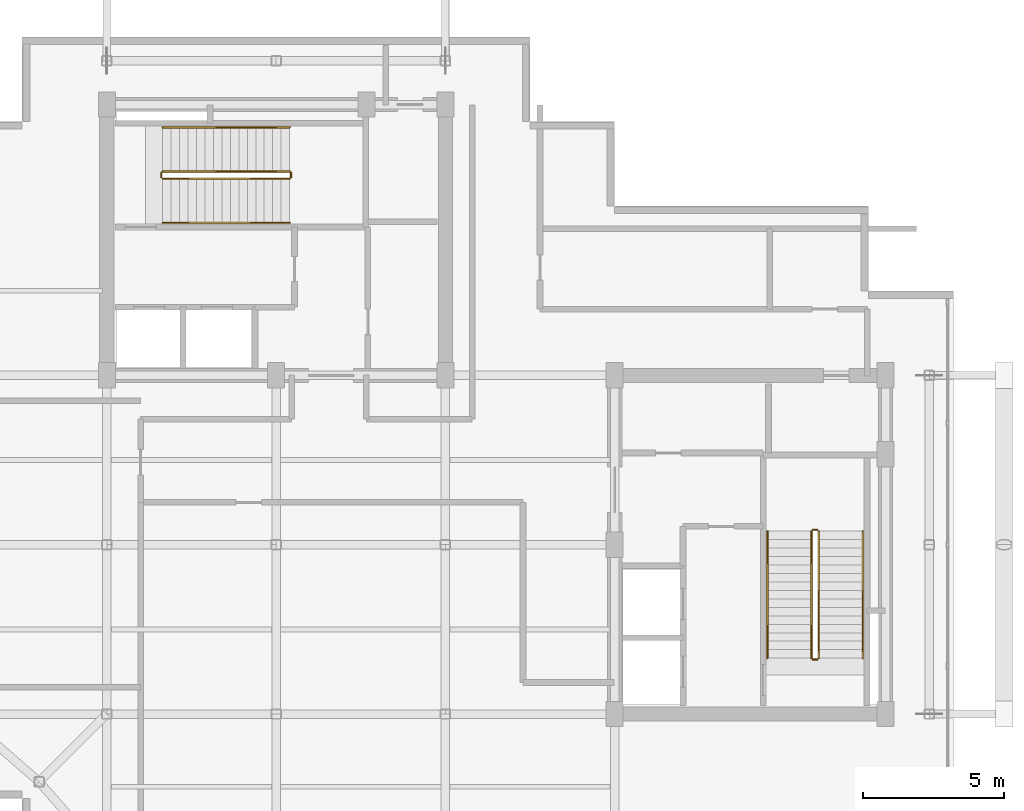
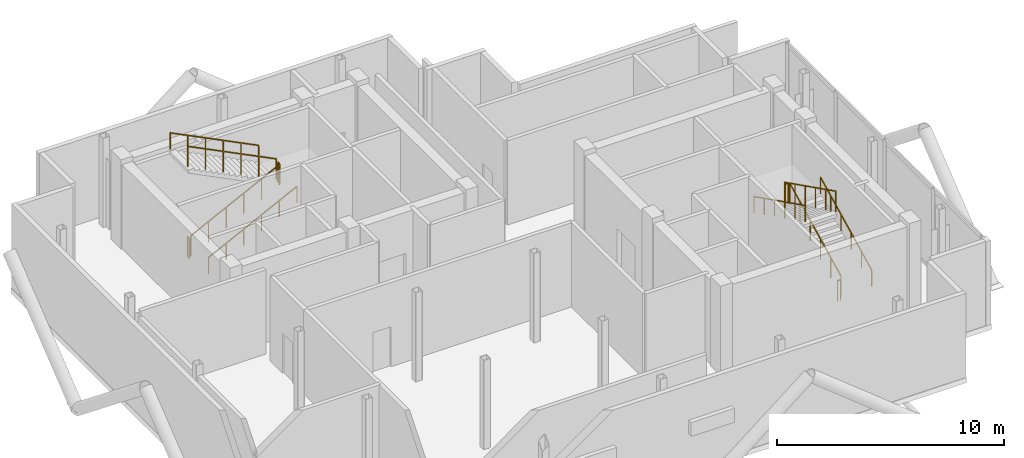
# One storey, part 6 of 6: 12 railings.
"""IFC4 building model written with IfcOpenShell, lengths in metres."""

from ifc_helpers import new_model, si_unit, direction, frame, origin, origin_2d, place, context, subcontext, project, spatial, rectangle, extrude, material, type_object, element, save


model = new_model("IFC4")

# Units and contexts
model_context = context("Model", 3, precision=1e-05, world=origin(), true_north=direction((0.0, 1.0)))
body_context = subcontext(model_context, "Body", "Model", "MODEL_VIEW")
ifc_project = project(units=[si_unit("LENGTHUNIT", "METRE"), si_unit("AREAUNIT", "SQUARE_METRE"), si_unit("VOLUMEUNIT", "CUBIC_METRE"), si_unit("PLANEANGLEUNIT", "RADIAN"), si_unit("MASSUNIT", "GRAM", prefix="KILO"), si_unit("THERMODYNAMICTEMPERATUREUNIT", "KELVIN"), si_unit("POWERUNIT", "WATT")], contexts=[model_context])

# Site, building, storey
site_placement = place(None, origin())
site = spatial("IfcSite", under=ifc_project, at=site_placement, CompositionType="ELEMENT")
building_placement = place(site_placement, origin())
building = spatial("IfcBuilding", under=site, at=building_placement, Name="Svarakhadi Broadcast Tower", CompositionType="ELEMENT")
storey_placement = place(building_placement, frame((0.0, 0.0, 300.89990234375)))
storey = spatial("IfcBuildingStorey", under=building, at=storey_placement, Name="L76", CompositionType="ELEMENT", Elevation=300.89990234375)

# Railings
ifc_material = material(Name="Anodised Bronze Aluminium AA 6063-T6", Category="aluminium")
railing_type_1 = type_object("IfcRailingType", Name="Guard_Stair_GR01", PredefinedType="GUARDRAIL", material=ifc_material)
railing_1_placement = place(storey_placement, frame((7.97998046875, 24.969970703125, 0.150146484375)))
element("IfcRailing", 1, at=railing_1_placement, inside=storey, type_object=railing_type_1, Name="L76 ST-01 stair guard 1", PredefinedType="GUARDRAIL", context=body_context, shape_type="SweptSolid", body=[
    extrude(rectangle(XDim=0.048095703125, YDim=0.048095703125, at=origin_2d()), frame((0.0, 0.0, 1.09619140625), z_axis=(0.894427191, 0.0, 0.4472135955), x_axis=(0.0, 1.0, 0.0)), (0.0, 0.0, 1.0), 5.03125),
    extrude(rectangle(XDim=0.0419921875, YDim=0.0419921875, at=origin_2d()), origin(), (0.0, 0.0, 1.0), 1.072021484375),
    extrude(rectangle(XDim=0.0419921875, YDim=0.0419921875, at=origin_2d()), frame((0.89990234375, 0.0, 0.449951171875)), (0.0, 0.0, 1.0), 1.072021484375),
    extrude(rectangle(XDim=0.0419921875, YDim=0.0419921875, at=origin_2d()), frame((1.800048828125, 0.0, 0.89990234375)), (0.0, 0.0, 1.0), 1.072021484375),
    extrude(rectangle(XDim=0.0419921875, YDim=0.0419921875, at=origin_2d()), frame((2.699951171875, 0.0, 1.35009765625)), (0.0, 0.0, 1.0), 1.072021484375),
    extrude(rectangle(XDim=0.0419921875, YDim=0.0419921875, at=origin_2d()), frame((3.60009765625, 0.0, 1.800048828125)), (0.0, 0.0, 1.0), 1.072021484375),
    extrude(rectangle(XDim=0.0419921875, YDim=0.0419921875, at=origin_2d()), frame((4.5, 0.0, 2.25)), (0.0, 0.0, 1.0), 1.072021484375),
])
railing_2_placement = place(storey_placement, frame((12.530029296875, 25.02001953125, 2.400146484375)))
element("IfcRailing", 2, at=railing_2_placement, inside=storey, type_object=railing_type_1, Name="L76 ST-01 stair guard 2", PredefinedType="GUARDRAIL", context=body_context, shape_type="SweptSolid", body=[
    extrude(rectangle(XDim=0.048095703125, YDim=0.048095703125, at=origin_2d()), frame((0.0, 0.0, 1.09619140625), z_axis=(0.0, 1.0, 0.0), x_axis=(-1.0, 0.0, 0.0)), (0.0, 0.0, 1.0), 0.159912109375),
    extrude(rectangle(XDim=0.0419921875, YDim=0.0419921875, at=origin_2d()), origin(), (0.0, 0.0, 1.0), 1.072021484375),
    extrude(rectangle(XDim=0.0419921875, YDim=0.0419921875, at=origin_2d()), frame((0.0, 0.159912109375, 0.0)), (0.0, 0.0, 1.0), 1.072021484375),
])
railing_3_placement = place(storey_placement, frame((12.47998046875, 25.22998046875, 2.550048828125)))
element("IfcRailing", 3, at=railing_3_placement, inside=storey, type_object=railing_type_1, Name="L76 ST-01 stair guard 3", PredefinedType="GUARDRAIL", context=body_context, shape_type="SweptSolid", body=[
    extrude(rectangle(XDim=0.048095703125, YDim=0.048095703125, at=origin_2d()), frame((0.0, 0.0, 1.09619140625), z_axis=(-0.894427191, 0.0, 0.4472135955), x_axis=(0.0, -1.0, 0.0)), (0.0, 0.0, 1.0), 5.03125),
    extrude(rectangle(XDim=0.0419921875, YDim=0.0419921875, at=origin_2d()), origin(), (0.0, 0.0, 1.0), 1.072021484375),
    extrude(rectangle(XDim=0.0419921875, YDim=0.0419921875, at=origin_2d()), frame((-0.89990234375, 0.0, 0.449951171875)), (0.0, 0.0, 1.0), 1.072021484375),
    extrude(rectangle(XDim=0.0419921875, YDim=0.0419921875, at=origin_2d()), frame((-1.800048828125, 0.0, 0.89990234375)), (0.0, 0.0, 1.0), 1.072021484375),
    extrude(rectangle(XDim=0.0419921875, YDim=0.0419921875, at=origin_2d()), frame((-2.699951171875, 0.0, 1.35009765625)), (0.0, 0.0, 1.0), 1.072021484375),
    extrude(rectangle(XDim=0.0419921875, YDim=0.0419921875, at=origin_2d()), frame((-3.60009765625, 0.0, 1.800048828125)), (0.0, 0.0, 1.0), 1.072021484375),
    extrude(rectangle(XDim=0.0419921875, YDim=0.0419921875, at=origin_2d()), frame((-4.5, 0.0, 2.25)), (0.0, 0.0, 1.0), 1.072021484375),
])
railing_4_placement = place(storey_placement, frame((7.929931640625, 25.02001953125, 0.0)))
element("IfcRailing", 4, at=railing_4_placement, inside=storey, type_object=railing_type_1, Name="L76 ST-01 stair guard 4", PredefinedType="GUARDRAIL", context=body_context, shape_type="SweptSolid", body=[
    extrude(rectangle(XDim=0.048095703125, YDim=0.048095703125, at=origin_2d()), frame((0.0, 0.0, 1.09619140625), z_axis=(0.0, 1.0, 0.0), x_axis=(-1.0, 0.0, 0.0)), (0.0, 0.0, 1.0), 0.159912109375),
    extrude(rectangle(XDim=0.0419921875, YDim=0.0419921875, at=origin_2d()), origin(), (0.0, 0.0, 1.0), 1.072021484375),
    extrude(rectangle(XDim=0.0419921875, YDim=0.0419921875, at=origin_2d()), frame((0.0, 0.159912109375, 0.0)), (0.0, 0.0, 1.0), 1.072021484375),
])
railing_5_placement = place(storey_placement, frame((31.22998046875, 7.97998046875, 0.150146484375)))
element("IfcRailing", 5, at=railing_5_placement, inside=storey, type_object=railing_type_1, Name="L76 ST-02 stair guard 1", PredefinedType="GUARDRAIL", context=body_context, shape_type="SweptSolid", body=[
    extrude(rectangle(XDim=0.048095703125, YDim=0.048095703125, at=origin_2d()), frame((0.0, 0.0, 1.09619140625), z_axis=(0.0, 0.894427191, 0.4472135955), x_axis=(-1.0, 0.0, 0.0)), (0.0, 0.0, 1.0), 5.03125),
    extrude(rectangle(XDim=0.0419921875, YDim=0.0419921875, at=origin_2d()), origin(), (0.0, 0.0, 1.0), 1.072021484375),
    extrude(rectangle(XDim=0.0419921875, YDim=0.0419921875, at=origin_2d()), frame((0.0, 0.89990234375, 0.449951171875)), (0.0, 0.0, 1.0), 1.072021484375),
    extrude(rectangle(XDim=0.0419921875, YDim=0.0419921875, at=origin_2d()), frame((0.0, 1.800048828125, 0.89990234375)), (0.0, 0.0, 1.0), 1.072021484375),
    extrude(rectangle(XDim=0.0419921875, YDim=0.0419921875, at=origin_2d()), frame((0.0, 2.699951171875, 1.35009765625)), (0.0, 0.0, 1.0), 1.072021484375),
    extrude(rectangle(XDim=0.0419921875, YDim=0.0419921875, at=origin_2d()), frame((0.0, 3.60009765625, 1.800048828125)), (0.0, 0.0, 1.0), 1.072021484375),
    extrude(rectangle(XDim=0.0419921875, YDim=0.0419921875, at=origin_2d()), frame((0.0, 4.5, 2.25)), (0.0, 0.0, 1.0), 1.072021484375),
])
railing_6_placement = place(storey_placement, frame((31.179931640625, 12.530029296875, 2.400146484375)))
element("IfcRailing", 6, at=railing_6_placement, inside=storey, type_object=railing_type_1, Name="L76 ST-02 stair guard 2", PredefinedType="GUARDRAIL", context=body_context, shape_type="SweptSolid", body=[
    extrude(rectangle(XDim=0.048095703125, YDim=0.048095703125, at=origin_2d()), frame((0.0, 0.0, 1.09619140625), z_axis=(-1.0, 0.0, 0.0), x_axis=(0.0, -1.0, 0.0)), (0.0, 0.0, 1.0), 0.159912109375),
    extrude(rectangle(XDim=0.0419921875, YDim=0.0419921875, at=origin_2d()), origin(), (0.0, 0.0, 1.0), 1.072021484375),
    extrude(rectangle(XDim=0.0419921875, YDim=0.0419921875, at=origin_2d()), frame((-0.159912109375, 0.0, 0.0)), (0.0, 0.0, 1.0), 1.072021484375),
])
railing_7_placement = place(storey_placement, frame((30.969970703125, 12.47998046875, 2.550048828125)))
element("IfcRailing", 7, at=railing_7_placement, inside=storey, type_object=railing_type_1, Name="L76 ST-02 stair guard 3", PredefinedType="GUARDRAIL", context=body_context, shape_type="SweptSolid", body=[
    extrude(rectangle(XDim=0.048095703125, YDim=0.048095703125, at=origin_2d()), frame((0.0, 0.0, 1.09619140625), z_axis=(0.0, -0.894427191, 0.4472135955), x_axis=(1.0, 0.0, 0.0)), (0.0, 0.0, 1.0), 5.03125),
    extrude(rectangle(XDim=0.0419921875, YDim=0.0419921875, at=origin_2d()), origin(), (0.0, 0.0, 1.0), 1.072021484375),
    extrude(rectangle(XDim=0.0419921875, YDim=0.0419921875, at=origin_2d()), frame((0.0, -0.89990234375, 0.449951171875)), (0.0, 0.0, 1.0), 1.072021484375),
    extrude(rectangle(XDim=0.0419921875, YDim=0.0419921875, at=origin_2d()), frame((0.0, -1.800048828125, 0.89990234375)), (0.0, 0.0, 1.0), 1.072021484375),
    extrude(rectangle(XDim=0.0419921875, YDim=0.0419921875, at=origin_2d()), frame((0.0, -2.699951171875, 1.35009765625)), (0.0, 0.0, 1.0), 1.072021484375),
    extrude(rectangle(XDim=0.0419921875, YDim=0.0419921875, at=origin_2d()), frame((0.0, -3.60009765625, 1.800048828125)), (0.0, 0.0, 1.0), 1.072021484375),
    extrude(rectangle(XDim=0.0419921875, YDim=0.0419921875, at=origin_2d()), frame((0.0, -4.5, 2.25)), (0.0, 0.0, 1.0), 1.072021484375),
])
railing_8_placement = place(storey_placement, frame((31.179931640625, 7.929931640625, 0.0)))
element("IfcRailing", 8, at=railing_8_placement, inside=storey, type_object=railing_type_1, Name="L76 ST-02 stair guard 4", PredefinedType="GUARDRAIL", context=body_context, shape_type="SweptSolid", body=[
    extrude(rectangle(XDim=0.048095703125, YDim=0.048095703125, at=origin_2d()), frame((0.0, 0.0, 1.09619140625), z_axis=(-1.0, 0.0, 0.0), x_axis=(0.0, -1.0, 0.0)), (0.0, 0.0, 1.0), 0.159912109375),
    extrude(rectangle(XDim=0.0419921875, YDim=0.0419921875, at=origin_2d()), origin(), (0.0, 0.0, 1.0), 1.072021484375),
    extrude(rectangle(XDim=0.0419921875, YDim=0.0419921875, at=origin_2d()), frame((-0.159912109375, 0.0, 0.0)), (0.0, 0.0, 1.0), 1.072021484375),
])
railing_type_2 = type_object("IfcRailingType", Name="Handrail_Stair_HR01", PredefinedType="HANDRAIL", material=ifc_material)
railing_9_placement = place(storey_placement, frame((7.97998046875, 23.409912109375, 0.150146484375)))
element("IfcRailing", 9, at=railing_9_placement, inside=storey, type_object=railing_type_2, Name="L76 ST-01 stair handrail 1", PredefinedType="HANDRAIL", context=body_context, shape_type="SweptSolid", body=[
    extrude(rectangle(XDim=0.048095703125, YDim=0.048095703125, at=origin_2d()), frame((0.0, 0.0, 0.8759765625), z_axis=(0.894427191, 0.0, 0.4472135955), x_axis=(0.0, 1.0, 0.0)), (0.0, 0.0, 1.0), 5.03125),
    extrude(rectangle(XDim=0.0419921875, YDim=0.0419921875, at=origin_2d()), origin(), (0.0, 0.0, 1.0), 0.851806640625),
    extrude(rectangle(XDim=0.0419921875, YDim=0.0419921875, at=origin_2d()), frame((0.89990234375, 0.0, 0.449951171875)), (0.0, 0.0, 1.0), 0.851806640625),
    extrude(rectangle(XDim=0.0419921875, YDim=0.0419921875, at=origin_2d()), frame((1.800048828125, 0.0, 0.89990234375)), (0.0, 0.0, 1.0), 0.851806640625),
    extrude(rectangle(XDim=0.0419921875, YDim=0.0419921875, at=origin_2d()), frame((2.699951171875, 0.0, 1.35009765625)), (0.0, 0.0, 1.0), 0.851806640625),
    extrude(rectangle(XDim=0.0419921875, YDim=0.0419921875, at=origin_2d()), frame((3.60009765625, 0.0, 1.800048828125)), (0.0, 0.0, 1.0), 0.851806640625),
    extrude(rectangle(XDim=0.0419921875, YDim=0.0419921875, at=origin_2d()), frame((4.5, 0.0, 2.25)), (0.0, 0.0, 1.0), 0.851806640625),
])
railing_10_placement = place(storey_placement, frame((12.47998046875, 26.7900390625, 2.550048828125)))
element("IfcRailing", 10, at=railing_10_placement, inside=storey, type_object=railing_type_2, Name="L76 ST-01 stair handrail 2", PredefinedType="HANDRAIL", context=body_context, shape_type="SweptSolid", body=[
    extrude(rectangle(XDim=0.048095703125, YDim=0.048095703125, at=origin_2d()), frame((0.0, 0.0, 0.8759765625), z_axis=(-0.894427191, 0.0, 0.4472135955), x_axis=(0.0, -1.0, 0.0)), (0.0, 0.0, 1.0), 5.03125),
    extrude(rectangle(XDim=0.0419921875, YDim=0.0419921875, at=origin_2d()), origin(), (0.0, 0.0, 1.0), 0.851806640625),
    extrude(rectangle(XDim=0.0419921875, YDim=0.0419921875, at=origin_2d()), frame((-0.89990234375, 0.0, 0.449951171875)), (0.0, 0.0, 1.0), 0.851806640625),
    extrude(rectangle(XDim=0.0419921875, YDim=0.0419921875, at=origin_2d()), frame((-1.800048828125, 0.0, 0.89990234375)), (0.0, 0.0, 1.0), 0.851806640625),
    extrude(rectangle(XDim=0.0419921875, YDim=0.0419921875, at=origin_2d()), frame((-2.699951171875, 0.0, 1.35009765625)), (0.0, 0.0, 1.0), 0.851806640625),
    extrude(rectangle(XDim=0.0419921875, YDim=0.0419921875, at=origin_2d()), frame((-3.60009765625, 0.0, 1.800048828125)), (0.0, 0.0, 1.0), 0.851806640625),
    extrude(rectangle(XDim=0.0419921875, YDim=0.0419921875, at=origin_2d()), frame((-4.5, 0.0, 2.25)), (0.0, 0.0, 1.0), 0.851806640625),
])
railing_11_placement = place(storey_placement, frame((32.7900390625, 7.97998046875, 0.150146484375)))
element("IfcRailing", 11, at=railing_11_placement, inside=storey, type_object=railing_type_2, Name="L76 ST-02 stair handrail 1", PredefinedType="HANDRAIL", context=body_context, shape_type="SweptSolid", body=[
    extrude(rectangle(XDim=0.048095703125, YDim=0.048095703125, at=origin_2d()), frame((0.0, 0.0, 0.8759765625), z_axis=(0.0, 0.894427191, 0.4472135955), x_axis=(-1.0, 0.0, 0.0)), (0.0, 0.0, 1.0), 5.03125),
    extrude(rectangle(XDim=0.0419921875, YDim=0.0419921875, at=origin_2d()), origin(), (0.0, 0.0, 1.0), 0.851806640625),
    extrude(rectangle(XDim=0.0419921875, YDim=0.0419921875, at=origin_2d()), frame((0.0, 0.89990234375, 0.449951171875)), (0.0, 0.0, 1.0), 0.851806640625),
    extrude(rectangle(XDim=0.0419921875, YDim=0.0419921875, at=origin_2d()), frame((0.0, 1.800048828125, 0.89990234375)), (0.0, 0.0, 1.0), 0.851806640625),
    extrude(rectangle(XDim=0.0419921875, YDim=0.0419921875, at=origin_2d()), frame((0.0, 2.699951171875, 1.35009765625)), (0.0, 0.0, 1.0), 0.851806640625),
    extrude(rectangle(XDim=0.0419921875, YDim=0.0419921875, at=origin_2d()), frame((0.0, 3.60009765625, 1.800048828125)), (0.0, 0.0, 1.0), 0.851806640625),
    extrude(rectangle(XDim=0.0419921875, YDim=0.0419921875, at=origin_2d()), frame((0.0, 4.5, 2.25)), (0.0, 0.0, 1.0), 0.851806640625),
])
railing_12_placement = place(storey_placement, frame((29.409912109375, 12.47998046875, 2.550048828125)))
element("IfcRailing", 12, at=railing_12_placement, inside=storey, type_object=railing_type_2, Name="L76 ST-02 stair handrail 2", PredefinedType="HANDRAIL", context=body_context, shape_type="SweptSolid", body=[
    extrude(rectangle(XDim=0.048095703125, YDim=0.048095703125, at=origin_2d()), frame((0.0, 0.0, 0.8759765625), z_axis=(0.0, -0.894427191, 0.4472135955), x_axis=(1.0, 0.0, 0.0)), (0.0, 0.0, 1.0), 5.03125),
    extrude(rectangle(XDim=0.0419921875, YDim=0.0419921875, at=origin_2d()), origin(), (0.0, 0.0, 1.0), 0.851806640625),
    extrude(rectangle(XDim=0.0419921875, YDim=0.0419921875, at=origin_2d()), frame((0.0, -0.89990234375, 0.449951171875)), (0.0, 0.0, 1.0), 0.851806640625),
    extrude(rectangle(XDim=0.0419921875, YDim=0.0419921875, at=origin_2d()), frame((0.0, -1.800048828125, 0.89990234375)), (0.0, 0.0, 1.0), 0.851806640625),
    extrude(rectangle(XDim=0.0419921875, YDim=0.0419921875, at=origin_2d()), frame((0.0, -2.699951171875, 1.35009765625)), (0.0, 0.0, 1.0), 0.851806640625),
    extrude(rectangle(XDim=0.0419921875, YDim=0.0419921875, at=origin_2d()), frame((0.0, -3.60009765625, 1.800048828125)), (0.0, 0.0, 1.0), 0.851806640625),
    extrude(rectangle(XDim=0.0419921875, YDim=0.0419921875, at=origin_2d()), frame((0.0, -4.5, 2.25)), (0.0, 0.0, 1.0), 0.851806640625),
])

save(model, "model.ifc")
